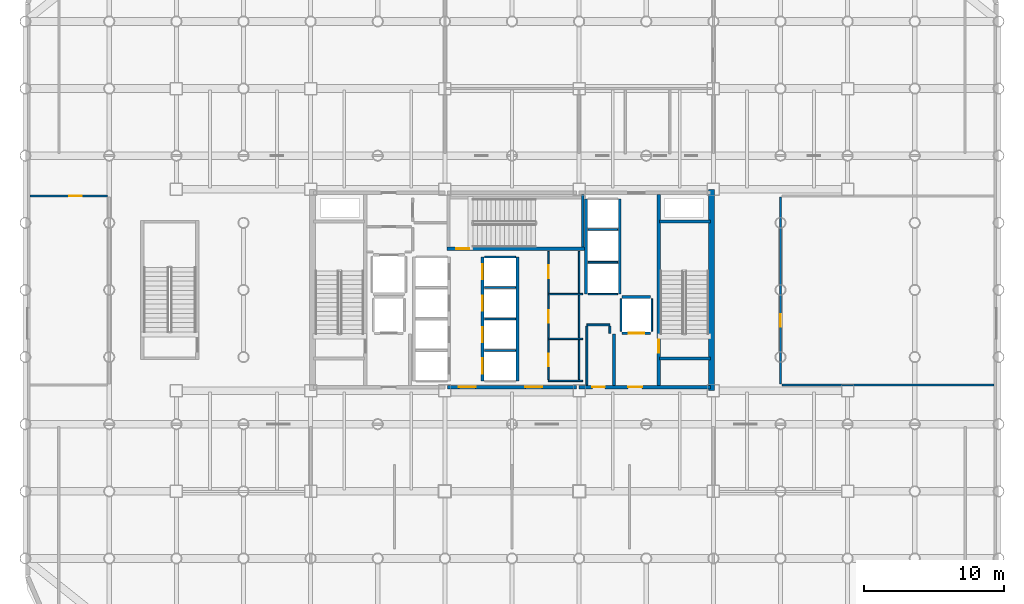
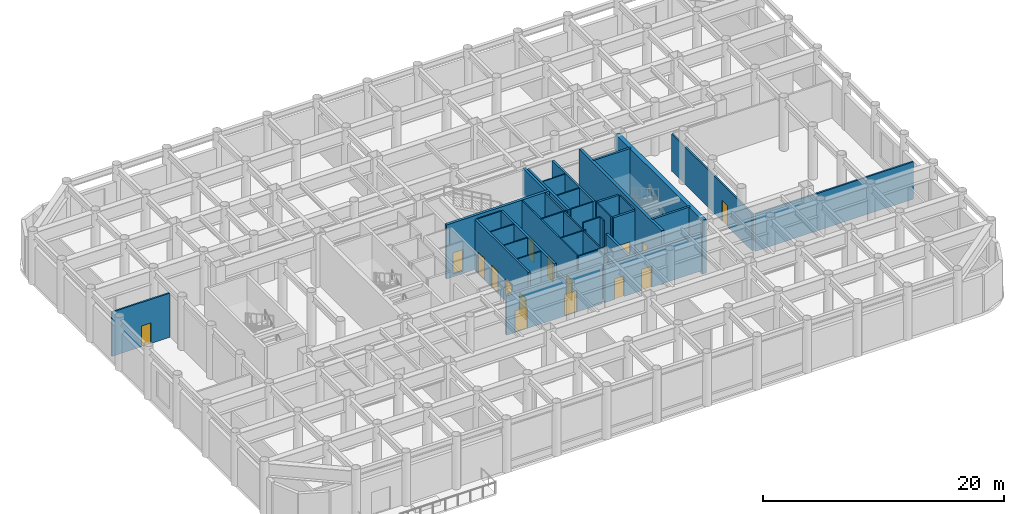
# One storey, part 13 of 17: 35 walls, 16 doors, 16 openings.
"""IFC4 building model written with IfcOpenShell, lengths in metres."""

from ifc_helpers import new_model, si_unit, direction, frame, frame_2d, origin, place, context, subcontext, project, spatial, rectangle, extrude, material, layer, layer_set, type_object, element, fill, save


model = new_model("IFC4")

# Units and contexts
model_context = context("Model", 3, precision=1e-05, world=origin(), true_north=direction((0.0, 1.0)))
body_context = subcontext(model_context, "Body", "Model", "MODEL_VIEW")
ifc_project = project(units=[si_unit("LENGTHUNIT", "METRE"), si_unit("AREAUNIT", "SQUARE_METRE"), si_unit("VOLUMEUNIT", "CUBIC_METRE"), si_unit("PLANEANGLEUNIT", "RADIAN"), si_unit("MASSUNIT", "GRAM", prefix="KILO")], contexts=[model_context])

# Site, building, storey
site_placement = place(None, origin())
site = spatial("IfcSite", under=ifc_project, at=site_placement, CompositionType="ELEMENT")
building_placement = place(site_placement, origin())
building = spatial("IfcBuilding", under=site, at=building_placement, Name="Kallvorn Hotel Tower", CompositionType="ELEMENT")
storey_placement = place(building_placement, frame((0.0, 0.0, 19.199951171875)))
storey = spatial("IfcBuildingStorey", under=building, at=storey_placement, Name="L03", CompositionType="ELEMENT", Elevation=19.199951171875)

# Walls
ifc_material_1 = material(Name="Concrete C50/60", Category="concrete")
ifc_layer_1 = layer(ifc_material_1, 0.39990234375)
ifc_layer_set_1 = layer_set([ifc_layer_1], Name="WL_CORE_400")
wall_type_1 = type_object("IfcWallType", Name="WL_CORE_400", PredefinedType="SHEAR", material=ifc_layer_set_1)
wall_1_placement = place(storey_placement, frame((14.264892578125, -7.199951171875, -0.280029296875), z_axis=(0.0, 0.0, 1.0), x_axis=(0.0, 1.0, 0.0)))
element("IfcWall", 1, at=wall_1_placement, inside=storey, type_object=wall_type_1, Name="L03 Core East Shear Wall", PredefinedType="SHEAR", context=body_context, shape_type="SweptSolid", body=[
    extrude(rectangle(XDim=14.39990234375, YDim=0.39990234375, at=frame_2d((7.199951171875, 0.0))), origin(), (0.0, 0.0, 1.0), 5.4599609375),
])
ifc_material_2 = material(Name="Concrete C40/50", Category="concrete")
ifc_layer_2 = layer(ifc_material_2, 0.219970703125)
ifc_layer_set_2 = layer_set([ifc_layer_2], Name="WL_FFL_220")
wall_type_2 = type_object("IfcWallType", Name="WL_FFL_220", PredefinedType="SOLIDWALL", material=ifc_layer_set_2)
wall_2_placement = place(storey_placement, frame((7.300048828125, -6.820068359375, 0.0), z_axis=(0.0, 0.0, 1.0), x_axis=(0.0, 1.0, 0.0)))
element("IfcWall", 2, at=wall_2_placement, inside=storey, type_object=wall_type_2, Name="L03 Firefighting Lobby East Divider Wall", PredefinedType="SOLIDWALL", context=body_context, shape_type="SweptSolid", body=[
    extrude(rectangle(XDim=3.670166015625, YDim=0.219970703125, at=frame_2d((1.8349609375, 0.0))), origin(), (0.0, 0.0, 1.0), 3.780029296875),
])
ifc_material_3 = material(Name="Concrete C40/50", Category="concrete")
ifc_layer_3 = layer(ifc_material_3, 0.199951171875)
ifc_layer_set_3 = layer_set([ifc_layer_3], Name="WL_HOIST_200")
wall_type_3 = type_object("IfcWallType", Name="WL_HOIST_200", PredefinedType="SOLIDWALL", material=ifc_layer_set_3)
for number, where, z_axis, x_axis, name in (
    (3, (10.550048828125, -4.89990234375, -0.280029296875), (0.0, 0.0, 1.0), (1.0, 0.0, 0.0), "L03 Stair ST2 South Wall"),
    (4, (10.550048828125, 4.89990234375, -0.280029296875), (0.0, 0.0, 1.0), (1.0, 0.0, 0.0), "L03 Stair ST2 North Wall"),
):
    element("IfcWall", number, at=place(storey_placement, frame(where, z_axis=z_axis, x_axis=x_axis)), inside=storey, type_object=wall_type_3, Name=name, PredefinedType="SOLIDWALL", context=body_context, shape_type="SweptSolid", body=[
        extrude(rectangle(XDim=3.64990234375, YDim=0.199951171875, at=frame_2d((1.824951171875, 0.0))), origin(), (0.0, 0.0, 1.0), 5.4599609375),
    ])
wall_3_placement = place(storey_placement, frame((5.06005859375, 3.080078125, -0.280029296875), z_axis=(0.0, 0.0, 1.0), x_axis=(0.0, 1.0, 0.0)))
element("IfcWall", 5, at=wall_3_placement, inside=storey, type_object=wall_type_3, Name="L03 Stair ST3 East Wall", PredefinedType="SOLIDWALL", context=body_context, shape_type="SweptSolid", body=[
    extrude(rectangle(XDim=3.739990234375, YDim=0.199951171875, at=frame_2d((1.8701171875, 0.0))), origin(), (0.0, 0.0, 1.0), 5.4599609375),
])

# Wall, openings, doors
wall_4_placement = place(storey_placement, frame((-2.10009765625, -6.5, 0.0), z_axis=(0.0, 0.0, 1.0), x_axis=(0.0, 1.0, 0.0)))
wall_4 = element("IfcWall", 6, at=wall_4_placement, inside=storey, type_object=wall_type_3, Name="L03 Lift Bank B2 Landing Wall", PredefinedType="SOLIDWALL", context=body_context, shape_type="SweptSolid", body=[
    extrude(rectangle(XDim=8.85009765625, YDim=0.199951171875, at=frame_2d((4.425048828125, 0.0))), origin(), (0.0, 0.0, 1.0), 5.179931640625),
])
opening_1_placement = place(wall_4_placement, frame((0.5, 0.0, 0.0)))
opening_1 = element("IfcOpeningElement", 7, at=opening_1_placement, cuts=wall_4, Name="Opening LD-PL-05", PredefinedType="OPENING", context=body_context, shape_type="SweptSolid", body=[
    extrude(rectangle(XDim=1.10009765625, YDim=2.199951171875, at=frame_2d((0.550048828125, 1.10009765625))), frame((0.0, 0.114990234375, 0.0), z_axis=(0.0, -1.0, 0.0), x_axis=(1.0, 0.0, 0.0)), (0.0, 0.0, 1.0), 0.22998046875),
])
opening_2_placement = place(wall_4_placement, frame((2.75, 0.0, 0.0)))
opening_2 = element("IfcOpeningElement", 8, at=opening_2_placement, cuts=wall_4, Name="Opening LD-PL-06", PredefinedType="OPENING", context=body_context, shape_type="SweptSolid", body=[
    extrude(rectangle(XDim=1.10009765625, YDim=2.199951171875, at=frame_2d((0.550048828125, 1.10009765625))), frame((0.0, 0.114990234375, 0.0), z_axis=(0.0, -1.0, 0.0), x_axis=(1.0, 0.0, 0.0)), (0.0, 0.0, 1.0), 0.22998046875),
])
opening_3_placement = place(wall_4_placement, frame((5.0, 0.0, 0.0)))
opening_3 = element("IfcOpeningElement", 9, at=opening_3_placement, cuts=wall_4, Name="Opening LD-PL-07", PredefinedType="OPENING", context=body_context, shape_type="SweptSolid", body=[
    extrude(rectangle(XDim=1.10009765625, YDim=2.199951171875, at=frame_2d((0.550048828125, 1.10009765625))), frame((0.0, 0.114990234375, 0.0), z_axis=(0.0, -1.0, 0.0), x_axis=(1.0, 0.0, 0.0)), (0.0, 0.0, 1.0), 0.22998046875),
])
opening_4_placement = place(wall_4_placement, frame((7.25, 0.0, 0.0)))
opening_4 = element("IfcOpeningElement", 10, at=opening_4_placement, cuts=wall_4, Name="Opening LD-PL-08", PredefinedType="OPENING", context=body_context, shape_type="SweptSolid", body=[
    extrude(rectangle(XDim=1.10009765625, YDim=2.199951171875, at=frame_2d((0.550048828125, 1.10009765625))), frame((0.0, 0.114990234375, 0.0), z_axis=(0.0, -1.0, 0.0), x_axis=(1.0, 0.0, 0.0)), (0.0, 0.0, 1.0), 0.22998046875),
])
ifc_material_4 = material(Name="Brushed stainless-steel automatic sliding lift landing door", Category="steel")
door_type_1 = type_object("IfcDoorType", Name="LD_PASS_1100x2200", OperationType="SLIDING_TO_LEFT", PredefinedType="DOOR", material=ifc_material_4)
door_1_placement = place(opening_1_placement, origin())
door_1 = element("IfcDoor", 11, at=door_1_placement, inside=storey, type_object=door_type_1, Name="L03 Lift Landing Sliding Door LD-PL-05", OperationType="SLIDING_TO_LEFT", OverallHeight=2.199951171875, OverallWidth=1.10009765625, PredefinedType="DOOR", context=body_context, shape_type="SweptSolid", body=[
    extrude(rectangle(XDim=1.10009765625, YDim=2.199951171875, at=frame_2d((0.550048828125, 1.10009765625))), frame((0.0, 0.02490234375, 0.0), z_axis=(0.0, -1.0, 0.0), x_axis=(1.0, 0.0, 0.0)), (0.0, 0.0, 1.0), 0.050048828125),
])
fill(opening_1, door_1)
door_2_placement = place(opening_2_placement, origin())
door_2 = element("IfcDoor", 12, at=door_2_placement, inside=storey, type_object=door_type_1, Name="L03 Lift Landing Sliding Door LD-PL-06", OperationType="SLIDING_TO_LEFT", OverallHeight=2.199951171875, OverallWidth=1.10009765625, PredefinedType="DOOR", context=body_context, shape_type="SweptSolid", body=[
    extrude(rectangle(XDim=1.10009765625, YDim=2.199951171875, at=frame_2d((0.550048828125, 1.10009765625))), frame((0.0, 0.02490234375, 0.0), z_axis=(0.0, -1.0, 0.0), x_axis=(1.0, 0.0, 0.0)), (0.0, 0.0, 1.0), 0.050048828125),
])
fill(opening_2, door_2)
door_3_placement = place(opening_3_placement, origin())
door_3 = element("IfcDoor", 13, at=door_3_placement, inside=storey, type_object=door_type_1, Name="L03 Lift Landing Sliding Door LD-PL-07", OperationType="SLIDING_TO_LEFT", OverallHeight=2.199951171875, OverallWidth=1.10009765625, PredefinedType="DOOR", context=body_context, shape_type="SweptSolid", body=[
    extrude(rectangle(XDim=1.10009765625, YDim=2.199951171875, at=frame_2d((0.550048828125, 1.10009765625))), frame((0.0, 0.02490234375, 0.0), z_axis=(0.0, -1.0, 0.0), x_axis=(1.0, 0.0, 0.0)), (0.0, 0.0, 1.0), 0.050048828125),
])
fill(opening_3, door_3)
door_4_placement = place(opening_4_placement, origin())
door_4 = element("IfcDoor", 14, at=door_4_placement, inside=storey, type_object=door_type_1, Name="L03 Lift Landing Sliding Door LD-PL-08", OperationType="SLIDING_TO_LEFT", OverallHeight=2.199951171875, OverallWidth=1.10009765625, PredefinedType="DOOR", context=body_context, shape_type="SweptSolid", body=[
    extrude(rectangle(XDim=1.10009765625, YDim=2.199951171875, at=frame_2d((0.550048828125, 1.10009765625))), frame((0.0, 0.02490234375, 0.0), z_axis=(0.0, -1.0, 0.0), x_axis=(1.0, 0.0, 0.0)), (0.0, 0.0, 1.0), 0.050048828125),
])
fill(opening_4, door_4)

# Walls
wall_5_placement = place(storey_placement, frame((0.39990234375, -6.5, 0.0), z_axis=(0.0, 0.0, 1.0), x_axis=(0.0, 1.0, 0.0)))
element("IfcWall", 15, at=wall_5_placement, inside=storey, type_object=wall_type_3, Name="L03 Lift Bank B2 Rear Shaft Wall", PredefinedType="SOLIDWALL", context=body_context, shape_type="SweptSolid", body=[
    extrude(rectangle(XDim=8.85009765625, YDim=0.199951171875, at=frame_2d((4.425048828125, 0.0))), origin(), (0.0, 0.0, 1.0), 5.179931640625),
])
for number, where, z_axis, x_axis, name in (
    (16, (7.699951171875, -0.300048828125, 0.0), (0.0, 0.0, 1.0), (0.0, 1.0, 0.0), "L03 Lift Bank OBS Landing Wall"),
    (17, (5.300048828125, -0.300048828125, 0.0), (0.0, 0.0, 1.0), (0.0, 1.0, 0.0), "L03 Lift Bank OBS Rear Shaft Wall"),
):
    element("IfcWall", number, at=place(storey_placement, frame(where, z_axis=z_axis, x_axis=x_axis)), inside=storey, type_object=wall_type_3, Name=name, PredefinedType="SOLIDWALL", context=body_context, shape_type="SweptSolid", body=[
        extrude(rectangle(XDim=6.800048828125, YDim=0.199951171875, at=frame_2d((3.39990234375, 0.0))), origin(), (0.0, 0.0, 1.0), 5.179931640625),
    ])

# Wall, opening, door
wall_6_placement = place(storey_placement, frame((7.8798828125, -3.10009765625, 0.0), z_axis=(0.0, 0.0, 1.0), x_axis=(1.0, 0.0, 0.0)))
wall_6 = element("IfcWall", 18, at=wall_6_placement, inside=storey, type_object=wall_type_3, Name="L03 FL-2 Landing Wall", PredefinedType="SOLIDWALL", context=body_context, shape_type="SweptSolid", body=[
    extrude(rectangle(XDim=2.0400390625, YDim=0.199951171875, at=frame_2d((1.02001953125, 0.0))), origin(), (0.0, 0.0, 1.0), 5.179931640625),
])
opening_5_placement = place(wall_6_placement, frame((0.469970703125, 0.0, 0.0)))
opening_5 = element("IfcOpeningElement", 19, at=opening_5_placement, cuts=wall_6, Name="Opening LD-FL-2", PredefinedType="OPENING", context=body_context, shape_type="SweptSolid", body=[
    extrude(rectangle(XDim=1.10009765625, YDim=2.199951171875, at=frame_2d((0.550048828125, 1.10009765625))), frame((0.0, 0.114990234375, 0.0), z_axis=(0.0, -1.0, 0.0), x_axis=(1.0, 0.0, 0.0)), (0.0, 0.0, 1.0), 0.22998046875),
])
door_5_placement = place(opening_5_placement, origin())
door_5 = element("IfcDoor", 20, at=door_5_placement, inside=storey, type_object=door_type_1, Name="L03 Lift Landing Sliding Door LD-FL-2", OperationType="SLIDING_TO_LEFT", OverallHeight=2.199951171875, OverallWidth=1.10009765625, PredefinedType="DOOR", context=body_context, shape_type="SweptSolid", body=[
    extrude(rectangle(XDim=1.10009765625, YDim=2.199951171875, at=frame_2d((0.550048828125, 1.10009765625))), frame((0.0, 0.02490234375, 0.0), z_axis=(0.0, -1.0, 0.0), x_axis=(1.0, 0.0, 0.0)), (0.0, 0.0, 1.0), 0.050048828125),
])
fill(opening_5, door_5)

# Walls
wall_7_placement = place(storey_placement, frame((7.8798828125, -0.5, 0.0), z_axis=(0.0, 0.0, 1.0), x_axis=(1.0, 0.0, 0.0)))
element("IfcWall", 21, at=wall_7_placement, inside=storey, type_object=wall_type_3, Name="L03 FL-2 Rear Shaft Wall", PredefinedType="SOLIDWALL", context=body_context, shape_type="SweptSolid", body=[
    extrude(rectangle(XDim=2.0400390625, YDim=0.199951171875, at=frame_2d((1.02001953125, 0.0))), origin(), (0.0, 0.0, 1.0), 5.179931640625),
])
ifc_material_5 = material(Name="Fire-rated double-layer acoustic gypsum drywall EI 60")
ifc_layer_4 = layer(ifc_material_5, 0.1201171875)
ifc_layer_set_4 = layer_set([ifc_layer_4], Name="WL_INT_120")
wall_type_4 = type_object("IfcWallType", Name="WL_INT_120", PredefinedType="PARTITIONING", material=ifc_layer_set_4)
for number, where, z_axis, x_axis, name in (
    (22, (-1.9599609375, -4.324951171875, 0.0), (0.0, 0.0, 1.0), (1.0, 0.0, 0.0), "L03 PL-05 Hoistway Divider"),
    (23, (-1.9599609375, -2.074951171875, 0.0), (0.0, 0.0, 1.0), (1.0, 0.0, 0.0), "L03 PL-06 Hoistway Divider"),
    (24, (-1.9599609375, 0.175048828125, 0.0), (0.0, 0.0, 1.0), (1.0, 0.0, 0.0), "L03 PL-07 Hoistway Divider"),
    (25, (-1.9599609375, 2.35009765625, 0.0), (0.0, 0.0, 1.0), (1.0, 0.0, 0.0), "L03 PL-08 Hoistway Divider"),
):
    element("IfcWall", number, at=place(storey_placement, frame(where, z_axis=z_axis, x_axis=x_axis)), inside=storey, type_object=wall_type_4, Name=name, PredefinedType="PARTITIONING", context=body_context, shape_type="SweptSolid", body=[
        extrude(rectangle(XDim=2.219970703125, YDim=0.1201171875, at=frame_2d((1.10986328125, 0.0))), origin(), (0.0, 0.0, 1.0), 5.179931640625),
    ])
for number, where, z_axis, x_axis, name in (
    (26, (5.43994140625, -0.300048828125, 0.0), (0.0, 0.0, 1.0), (1.0, 0.0, 0.0), "L03 Lift Bank OBS South Closure Wall"),
    (27, (5.43994140625, 1.97509765625, 0.0), (0.0, 0.0, 1.0), (1.0, 0.0, 0.0), "L03 OB-01 Hoistway Divider"),
    (28, (5.43994140625, 4.324951171875, 0.0), (0.0, 0.0, 1.0), (1.0, 0.0, 0.0), "L03 OB-02 Hoistway Divider"),
):
    element("IfcWall", number, at=place(storey_placement, frame(where, z_axis=z_axis, x_axis=x_axis)), inside=storey, type_object=wall_type_4, Name=name, PredefinedType="PARTITIONING", context=body_context, shape_type="SweptSolid", body=[
        extrude(rectangle(XDim=2.1201171875, YDim=0.1201171875, at=frame_2d((1.06005859375, 0.0))), origin(), (0.0, 0.0, 1.0), 5.179931640625),
    ])
for number, where, z_axis, x_axis, name in (
    (29, (7.800048828125, -2.9599609375, 0.0), (0.0, 0.0, 1.0), (0.0, 1.0, 0.0), "L03 FL-2 West Shaft Wall"),
    (30, (10.0, -2.9599609375, 0.0), (0.0, 0.0, 1.0), (0.0, 1.0, 0.0), "L03 FL-2 East Shaft Wall"),
):
    element("IfcWall", number, at=place(storey_placement, frame(where, z_axis=z_axis, x_axis=x_axis)), inside=storey, type_object=wall_type_4, Name=name, PredefinedType="PARTITIONING", context=body_context, shape_type="SweptSolid", body=[
        extrude(rectangle(XDim=2.320068359375, YDim=0.1201171875, at=frame_2d((1.16015625, 0.0))), origin(), (0.0, 0.0, 1.0), 5.179931640625),
    ])
for number, where, z_axis, x_axis, name in (
    (31, (2.60009765625, -6.5, 0.0), (0.0, 0.0, 1.0), (1.0, 0.0, 0.0), "L03 East Core Minibar Store Partition"),
    (32, (2.60009765625, -3.5, 0.0), (0.0, 0.0, 1.0), (1.0, 0.0, 0.0), "L03 East Core Housekeeping Supply Closet Partition"),
    (33, (2.60009765625, -0.300048828125, 0.0), (0.0, 0.0, 1.0), (1.0, 0.0, 0.0), "L03 East Core Cleaners Room Partition"),
):
    element("IfcWall", number, at=place(storey_placement, frame(where, z_axis=z_axis, x_axis=x_axis)), inside=storey, type_object=wall_type_4, Name=name, PredefinedType="PARTITIONING", context=body_context, shape_type="SweptSolid", body=[
        extrude(rectangle(XDim=2.449951171875, YDim=0.1201171875, at=frame_2d((1.22509765625, 0.0))), origin(), (0.0, 0.0, 1.0), 5.179931640625),
    ])

# Wall, openings, doors
wall_8_placement = place(storey_placement, frame((2.60009765625, -6.4150390625, 0.0), z_axis=(0.0, 0.0, 1.0), x_axis=(0.0, 1.0, 0.0)))
wall_8 = element("IfcWall", 34, at=wall_8_placement, inside=storey, type_object=wall_type_4, Name="L03 East Core Minibar Store Partition", PredefinedType="PARTITIONING", context=body_context, shape_type="SweptSolid", body=[
    extrude(rectangle(XDim=9.1650390625, YDim=0.1201171875, at=frame_2d((4.58251953125, 0.0))), origin(), (0.0, 0.0, 1.0), 5.179931640625),
])
opening_6_placement = place(wall_8_placement, frame((0.965087890625, 0.0, 0.0)))
opening_6 = element("IfcOpeningElement", 35, at=opening_6_placement, cuts=wall_8, Name="Opening SVD1", PredefinedType="OPENING", context=body_context, shape_type="SweptSolid", body=[
    extrude(rectangle(XDim=0.89990234375, YDim=2.10009765625, at=frame_2d((0.449951171875, 1.050048828125))), frame((0.0, 0.074951171875, 0.0), z_axis=(0.0, -1.0, 0.0), x_axis=(1.0, 0.0, 0.0)), (0.0, 0.0, 1.0), 0.150146484375),
])
opening_7_placement = place(wall_8_placement, frame((4.06494140625, 0.0, 0.0)))
opening_7 = element("IfcOpeningElement", 36, at=opening_7_placement, cuts=wall_8, Name="Opening SVD1", PredefinedType="OPENING", context=body_context, shape_type="SweptSolid", body=[
    extrude(rectangle(XDim=0.89990234375, YDim=2.10009765625, at=frame_2d((0.449951171875, 1.050048828125))), frame((0.0, 0.074951171875, 0.0), z_axis=(0.0, -1.0, 0.0), x_axis=(1.0, 0.0, 0.0)), (0.0, 0.0, 1.0), 0.150146484375),
])
opening_8_placement = place(wall_8_placement, frame((7.264892578125, 0.0, 0.0)))
opening_8 = element("IfcOpeningElement", 37, at=opening_8_placement, cuts=wall_8, Name="Opening SVD1", PredefinedType="OPENING", context=body_context, shape_type="SweptSolid", body=[
    extrude(rectangle(XDim=0.89990234375, YDim=2.10009765625, at=frame_2d((0.449951171875, 1.050048828125))), frame((0.0, 0.074951171875, 0.0), z_axis=(0.0, -1.0, 0.0), x_axis=(1.0, 0.0, 0.0)), (0.0, 0.0, 1.0), 0.150146484375),
])
ifc_material_6 = material(Name="Galvanised painted steel fire-rated door assembly", Category="steel")
door_type_2 = type_object("IfcDoorType", Name="DR_SERV_900x2100", OperationType="NOTDEFINED", PredefinedType="DOOR", material=ifc_material_6)
door_6_placement = place(opening_6_placement, origin())
door_6 = element("IfcDoor", 38, at=door_6_placement, inside=storey, type_object=door_type_2, Name="L03 East Core Minibar Store Door", OperationType="SINGLE_SWING_RIGHT", OverallHeight=2.10009765625, OverallWidth=0.89990234375, PredefinedType="DOOR", context=body_context, shape_type="SweptSolid", body=[
    extrude(rectangle(XDim=0.89990234375, YDim=2.10009765625, at=frame_2d((0.449951171875, 1.050048828125))), frame((0.0, 0.02490234375, 0.0), z_axis=(0.0, -1.0, 0.0), x_axis=(1.0, 0.0, 0.0)), (0.0, 0.0, 1.0), 0.050048828125),
])
fill(opening_6, door_6)
door_7_placement = place(opening_7_placement, origin())
door_7 = element("IfcDoor", 39, at=door_7_placement, inside=storey, type_object=door_type_2, Name="L03 East Core Housekeeping Supply Closet Door", OperationType="SINGLE_SWING_RIGHT", OverallHeight=2.10009765625, OverallWidth=0.89990234375, PredefinedType="DOOR", context=body_context, shape_type="SweptSolid", body=[
    extrude(rectangle(XDim=0.89990234375, YDim=2.10009765625, at=frame_2d((0.449951171875, 1.050048828125))), frame((0.0, 0.02490234375, 0.0), z_axis=(0.0, -1.0, 0.0), x_axis=(1.0, 0.0, 0.0)), (0.0, 0.0, 1.0), 0.050048828125),
])
fill(opening_7, door_7)
door_8_placement = place(opening_8_placement, origin())
door_8 = element("IfcDoor", 40, at=door_8_placement, inside=storey, type_object=door_type_2, Name="L03 East Core Cleaners Room Door", OperationType="SINGLE_SWING_RIGHT", OverallHeight=2.10009765625, OverallWidth=0.89990234375, PredefinedType="DOOR", context=body_context, shape_type="SweptSolid", body=[
    extrude(rectangle(XDim=0.89990234375, YDim=2.10009765625, at=frame_2d((0.449951171875, 1.050048828125))), frame((0.0, 0.02490234375, 0.0), z_axis=(0.0, -1.0, 0.0), x_axis=(1.0, 0.0, 0.0)), (0.0, 0.0, 1.0), 0.050048828125),
])
fill(opening_8, door_8)

# Walls
wall_9_placement = place(storey_placement, frame((4.800048828125, -6.4150390625, 0.0), z_axis=(0.0, 0.0, 1.0), x_axis=(0.0, 1.0, 0.0)))
element("IfcWall", 41, at=wall_9_placement, inside=storey, type_object=wall_type_4, Name="L03 East Core Minibar Store Partition", PredefinedType="PARTITIONING", context=body_context, shape_type="SweptSolid", body=[
    extrude(rectangle(XDim=9.1650390625, YDim=0.1201171875, at=frame_2d((4.58251953125, 0.0))), origin(), (0.0, 0.0, 1.0), 5.179931640625),
])
ifc_material_7 = material(Name="Fire-rated double-layer acoustic gypsum drywall EI 60")
ifc_layer_5 = layer(ifc_material_7, 0.14990234375)
ifc_layer_set_5 = layer_set([ifc_layer_5], Name="WL_PART_150")
wall_type_5 = type_object("IfcWallType", Name="WL_PART_150", PredefinedType="PARTITIONING", material=ifc_layer_set_5)
wall_10_placement = place(storey_placement, frame((19.320068359375, -6.800048828125, 0.0), z_axis=(0.0, 0.0, 1.0), x_axis=(1.0, 0.0, 0.0)))
element("IfcWall", 42, at=wall_10_placement, inside=storey, type_object=wall_type_5, Name="L03 East Conference Breakout Gallery Partition", PredefinedType="PARTITIONING", context=body_context, shape_type="SweptSolid", body=[
    extrude(rectangle(XDim=15.14990234375, YDim=0.14990234375, at=frame_2d((7.574951171875, 0.0))), origin(), (0.0, 0.0, 1.0), 3.780029296875),
])

# Wall, opening, door
wall_11_placement = place(storey_placement, frame((-34.469970703125, 6.716796875, 0.0), z_axis=(0.0, 0.0, 1.0), x_axis=(1.0, 0.0, 0.0)))
wall_11 = element("IfcWall", 43, at=wall_11_placement, inside=storey, type_object=wall_type_5, Name="L03 West Conference Delegate Bar Partition", PredefinedType="PARTITIONING", context=body_context, shape_type="SweptSolid", body=[
    extrude(rectangle(XDim=5.550048828125, YDim=0.14990234375, at=frame_2d((2.77490234375, 0.0))), origin(), (0.0, 0.0, 1.0), 4.47998046875),
])
opening_9_placement = place(wall_11_placement, frame((2.820068359375, 0.0, 0.0)))
opening_9 = element("IfcOpeningElement", 44, at=opening_9_placement, cuts=wall_11, Name="Opening SVD1", PredefinedType="OPENING", context=body_context, shape_type="SweptSolid", body=[
    extrude(rectangle(XDim=0.89990234375, YDim=2.10009765625, at=frame_2d((0.449951171875, 1.050048828125))), frame((0.0, 0.08984375, 0.0), z_axis=(0.0, -1.0, 0.0), x_axis=(1.0, 0.0, 0.0)), (0.0, 0.0, 1.0), 0.179931640625),
])
door_9_placement = place(opening_9_placement, origin())
door_9 = element("IfcDoor", 45, at=door_9_placement, inside=storey, type_object=door_type_2, Name="L03 West Conference Delegate Bar Door", OperationType="SINGLE_SWING_LEFT", OverallHeight=2.10009765625, OverallWidth=0.89990234375, PredefinedType="DOOR", context=body_context, shape_type="SweptSolid", body=[
    extrude(rectangle(XDim=0.89990234375, YDim=2.10009765625, at=frame_2d((0.449951171875, 1.050048828125))), frame((0.0, 0.02490234375, 0.0), z_axis=(0.0, -1.0, 0.0), x_axis=(1.0, 0.0, 0.0)), (0.0, 0.0, 1.0), 0.050048828125),
])
fill(opening_9, door_9)

wall_12_placement = place(storey_placement, frame((19.199951171875, -6.715087890625, 0.0), z_axis=(0.0, 0.0, 1.0), x_axis=(0.0, 1.0, 0.0)))
wall_12 = element("IfcWall", 46, at=wall_12_placement, inside=storey, type_object=wall_type_5, Name="L03 East Conference Breakout Gallery Partition", PredefinedType="PARTITIONING", context=body_context, shape_type="SweptSolid", body=[
    extrude(rectangle(XDim=13.3466796875, YDim=0.14990234375, at=frame_2d((6.67333984375, 0.0))), origin(), (0.0, 0.0, 1.0), 3.780029296875),
])
opening_10_placement = place(wall_12_placement, frame((4.08984375, 0.0, 0.0)))
opening_10 = element("IfcOpeningElement", 47, at=opening_10_placement, cuts=wall_12, Name="Opening SVD1", PredefinedType="OPENING", context=body_context, shape_type="SweptSolid", body=[
    extrude(rectangle(XDim=0.89990234375, YDim=2.10009765625, at=frame_2d((0.449951171875, 1.050048828125))), frame((0.0, 0.08984375, 0.0), z_axis=(0.0, -1.0, 0.0), x_axis=(1.0, 0.0, 0.0)), (0.0, 0.0, 1.0), 0.179931640625),
])
door_10_placement = place(opening_10_placement, origin())
door_10 = element("IfcDoor", 48, at=door_10_placement, inside=storey, type_object=door_type_2, Name="L03 East Conference Breakout Gallery Door", OperationType="SINGLE_SWING_RIGHT", OverallHeight=2.10009765625, OverallWidth=0.89990234375, PredefinedType="DOOR", context=body_context, shape_type="SweptSolid", body=[
    extrude(rectangle(XDim=0.89990234375, YDim=2.10009765625, at=frame_2d((0.449951171875, 1.050048828125))), frame((0.0, 0.02490234375, 0.0), z_axis=(0.0, -1.0, 0.0), x_axis=(1.0, 0.0, 0.0)), (0.0, 0.0, 1.0), 0.050048828125),
])
fill(opening_10, door_10)

# Walls
ifc_material_8 = material(Name="Moisture-resistant acoustic plumbing chase wall EI 60")
ifc_layer_6 = layer(ifc_material_8, 0.139892578125)
ifc_layer_set_6 = layer_set([ifc_layer_6], Name="WL_PLUMB_140")
wall_type_6 = type_object("IfcWallType", Name="WL_PLUMB_140", PredefinedType="PLUMBINGWALL", material=ifc_layer_set_6)
wall_13_placement = place(storey_placement, frame((5.35009765625, -2.5, 0.0), z_axis=(0.0, 0.0, 1.0), x_axis=(1.0, 0.0, 0.0)))
element("IfcWall", 49, at=wall_13_placement, inside=storey, type_object=wall_type_6, Name="L03 Core Accessible Staff WC Partition", PredefinedType="PLUMBINGWALL", context=body_context, shape_type="SweptSolid", body=[
    extrude(rectangle(XDim=1.64990234375, YDim=0.139892578125, at=frame_2d((0.824951171875, 0.0))), origin(), (0.0, 0.0, 1.0), 5.179931640625),
])
wall_14_placement = place(storey_placement, frame((5.35009765625, -6.800048828125, 0.0), z_axis=(0.0, 0.0, 1.0), x_axis=(0.0, 1.0, 0.0)))
element("IfcWall", 50, at=wall_14_placement, inside=storey, type_object=wall_type_6, Name="L03 Core Accessible Staff WC Partition", PredefinedType="PLUMBINGWALL", context=body_context, shape_type="SweptSolid", body=[
    extrude(rectangle(XDim=4.215087890625, YDim=0.139892578125, at=frame_2d((2.107421875, 0.0))), origin(), (0.0, 0.0, 1.0), 3.780029296875),
])
wall_15_placement = place(storey_placement, frame((7.0, -3.110107421875, 0.0), z_axis=(0.0, 0.0, 1.0), x_axis=(0.0, 1.0, 0.0)))
element("IfcWall", 51, at=wall_15_placement, inside=storey, type_object=wall_type_6, Name="L03 Core Accessible Staff WC Partition", PredefinedType="PLUMBINGWALL", context=body_context, shape_type="SweptSolid", body=[
    extrude(rectangle(XDim=0.525146484375, YDim=0.139892578125, at=frame_2d((0.2626953125, 0.0))), origin(), (0.0, 0.0, 1.0), 5.179931640625),
])

# Wall, openings, doors
ifc_material_9 = material(Name="Concrete C40/50", Category="concrete")
ifc_layer_7 = layer(ifc_material_9, 0.25)
ifc_layer_set_7 = layer_set([ifc_layer_7], Name="WL_SHAFT_250")
wall_type_7 = type_object("IfcWallType", Name="WL_SHAFT_250", PredefinedType="SOLIDWALL", material=ifc_layer_set_7)
wall_16_placement = place(storey_placement, frame((-4.60009765625, -6.949951171875, 0.0), z_axis=(0.0, 0.0, 1.0), x_axis=(1.0, 0.0, 0.0)))
wall_16 = element("IfcWall", 52, at=wall_16_placement, inside=storey, type_object=wall_type_7, Name="L03 Core South-Central Wall", PredefinedType="SOLIDWALL", context=body_context, shape_type="SweptSolid", body=[
    extrude(rectangle(XDim=9.2001953125, YDim=0.25, at=frame_2d((4.60009765625, 0.0))), origin(), (0.0, 0.0, 1.0), 3.97998046875),
])
opening_11_placement = place(wall_16_placement, frame((0.800048828125, 0.0, 0.0)))
opening_11 = element("IfcOpeningElement", 53, at=opening_11_placement, cuts=wall_16, Name="Opening FD2", PredefinedType="OPENING", context=body_context, shape_type="SweptSolid", body=[
    extrude(rectangle(XDim=1.199951171875, YDim=2.199951171875, at=frame_2d((0.60009765625, 1.10009765625))), frame((0.0, 0.139892578125, 0.0), z_axis=(0.0, -1.0, 0.0), x_axis=(1.0, 0.0, 0.0)), (0.0, 0.0, 1.0), 0.280029296875),
])
opening_12_placement = place(wall_16_placement, frame((5.550048828125, 0.0, 0.0)))
opening_12 = element("IfcOpeningElement", 54, at=opening_12_placement, cuts=wall_16, Name="Opening FD2", PredefinedType="OPENING", context=body_context, shape_type="SweptSolid", body=[
    extrude(rectangle(XDim=1.199951171875, YDim=2.199951171875, at=frame_2d((0.60009765625, 1.10009765625))), frame((0.0, 0.139892578125, 0.0), z_axis=(0.0, -1.0, 0.0), x_axis=(1.0, 0.0, 0.0)), (0.0, 0.0, 1.0), 0.280029296875),
])
ifc_material_10 = material(Name="Galvanised painted steel fire-rated door assembly", Category="steel")
door_type_3 = type_object("IfcDoorType", Name="DR_LOBBY_1200x2200", OperationType="DOUBLE_DOOR_SINGLE_SWING", PredefinedType="DOOR", material=ifc_material_10)
door_11_placement = place(opening_11_placement, origin())
door_11 = element("IfcDoor", 55, at=door_11_placement, inside=storey, type_object=door_type_3, Name="L03 West Passenger Lift Lobby Door", OperationType="DOUBLE_DOOR_SINGLE_SWING", OverallHeight=2.199951171875, OverallWidth=1.199951171875, PredefinedType="DOOR", context=body_context, shape_type="SweptSolid", body=[
    extrude(rectangle(XDim=1.199951171875, YDim=2.199951171875, at=frame_2d((0.60009765625, 1.10009765625))), frame((0.0, 0.02490234375, 0.0), z_axis=(0.0, -1.0, 0.0), x_axis=(1.0, 0.0, 0.0)), (0.0, 0.0, 1.0), 0.050048828125),
])
fill(opening_11, door_11)
door_12_placement = place(opening_12_placement, origin())
door_12 = element("IfcDoor", 56, at=door_12_placement, inside=storey, type_object=door_type_3, Name="L03 East Passenger Lift Lobby Door", OperationType="DOUBLE_DOOR_SINGLE_SWING", OverallHeight=2.199951171875, OverallWidth=1.199951171875, PredefinedType="DOOR", context=body_context, shape_type="SweptSolid", body=[
    extrude(rectangle(XDim=1.199951171875, YDim=2.199951171875, at=frame_2d((0.60009765625, 1.10009765625))), frame((0.0, 0.02490234375, 0.0), z_axis=(0.0, -1.0, 0.0), x_axis=(1.0, 0.0, 0.0)), (0.0, 0.0, 1.0), 0.050048828125),
])
fill(opening_12, door_12)

wall_17_placement = place(storey_placement, frame((4.800048828125, -6.949951171875, 0.0), z_axis=(0.0, 0.0, 1.0), x_axis=(1.0, 0.0, 0.0)))
wall_17 = element("IfcWall", 57, at=wall_17_placement, inside=storey, type_object=wall_type_7, Name="L03 Core South-East Wall", PredefinedType="SOLIDWALL", context=body_context, shape_type="SweptSolid", body=[
    extrude(rectangle(XDim=9.39990234375, YDim=0.25, at=frame_2d((4.699951171875, 0.0))), origin(), (0.0, 0.0, 1.0), 3.780029296875),
])
opening_13_placement = place(wall_17_placement, frame((3.5, 0.0, 0.0)))
opening_13 = element("IfcOpeningElement", 58, at=opening_13_placement, cuts=wall_17, Name="Opening FD1", PredefinedType="OPENING", context=body_context, shape_type="SweptSolid", body=[
    extrude(rectangle(XDim=1.0, YDim=2.14990234375, at=frame_2d((0.5, 1.074951171875))), frame((0.0, 0.139892578125, 0.0), z_axis=(0.0, -1.0, 0.0), x_axis=(1.0, 0.0, 0.0)), (0.0, 0.0, 1.0), 0.280029296875),
])
opening_14_placement = place(wall_17_placement, frame((0.949951171875, 0.0, 0.0)))
opening_14 = element("IfcOpeningElement", 59, at=opening_14_placement, cuts=wall_17, Name="Opening SVD1", PredefinedType="OPENING", context=body_context, shape_type="SweptSolid", body=[
    extrude(rectangle(XDim=0.89990234375, YDim=2.10009765625, at=frame_2d((0.449951171875, 1.050048828125))), frame((0.0, 0.139892578125, 0.0), z_axis=(0.0, -1.0, 0.0), x_axis=(1.0, 0.0, 0.0)), (0.0, 0.0, 1.0), 0.280029296875),
])
ifc_material_11 = material(Name="Galvanised painted steel fire-rated door assembly", Category="steel")
door_type_4 = type_object("IfcDoorType", Name="DR_FFL_1000x2150", OperationType="NOTDEFINED", PredefinedType="DOOR", material=ifc_material_11)
door_13_placement = place(opening_13_placement, origin())
door_13 = element("IfcDoor", 60, at=door_13_placement, inside=storey, type_object=door_type_4, Name="L03 Firefighting Lobby East Door", OperationType="SINGLE_SWING_LEFT", OverallHeight=2.14990234375, OverallWidth=1.0, PredefinedType="DOOR", context=body_context, shape_type="SweptSolid", body=[
    extrude(rectangle(XDim=1.0, YDim=2.14990234375, at=frame_2d((0.5, 1.074951171875))), frame((0.0, 0.02490234375, 0.0), z_axis=(0.0, -1.0, 0.0), x_axis=(1.0, 0.0, 0.0)), (0.0, 0.0, 1.0), 0.050048828125),
])
fill(opening_13, door_13)
door_14_placement = place(opening_14_placement, origin())
door_14 = element("IfcDoor", 61, at=door_14_placement, inside=storey, type_object=door_type_2, Name="L03 Core Accessible Staff WC Door", OperationType="SINGLE_SWING_RIGHT", OverallHeight=2.10009765625, OverallWidth=0.89990234375, PredefinedType="DOOR", context=body_context, shape_type="SweptSolid", body=[
    extrude(rectangle(XDim=0.89990234375, YDim=2.10009765625, at=frame_2d((0.449951171875, 1.050048828125))), frame((0.0, 0.02490234375, 0.0), z_axis=(0.0, -1.0, 0.0), x_axis=(1.0, 0.0, 0.0)), (0.0, 0.0, 1.0), 0.050048828125),
])
fill(opening_14, door_14)

# Wall, opening, door
wall_18_placement = place(storey_placement, frame((10.5, -6.820068359375, -0.280029296875), z_axis=(0.0, 0.0, 1.0), x_axis=(0.0, 1.0, 0.0)))
wall_18 = element("IfcWall", 62, at=wall_18_placement, inside=storey, type_object=wall_type_7, Name="L03 Stair ST2 Shaft Wall", PredefinedType="SOLIDWALL", context=body_context, shape_type="SweptSolid", body=[
    extrude(rectangle(XDim=13.64013671875, YDim=0.25, at=frame_2d((6.820068359375, 0.0))), origin(), (0.0, 0.0, 1.0), 5.4599609375),
])
opening_15_placement = place(wall_18_placement, frame((2.320068359375, 0.0, 0.280029296875)))
opening_15 = element("IfcOpeningElement", 63, at=opening_15_placement, cuts=wall_18, Name="Opening SD1", PredefinedType="OPENING", context=body_context, shape_type="SweptSolid", body=[
    extrude(rectangle(XDim=0.949951171875, YDim=2.14990234375, at=frame_2d((0.47509765625, 1.074951171875))), frame((0.0, 0.139892578125, 0.0), z_axis=(0.0, -1.0, 0.0), x_axis=(1.0, 0.0, 0.0)), (0.0, 0.0, 1.0), 0.280029296875),
])
ifc_material_12 = material(Name="Galvanised painted steel fire-rated door assembly", Category="steel")
door_type_5 = type_object("IfcDoorType", Name="DR_STAIR_950x2150", OperationType="NOTDEFINED", PredefinedType="DOOR", material=ifc_material_12)
door_15_placement = place(opening_15_placement, origin())
door_15 = element("IfcDoor", 64, at=door_15_placement, inside=storey, type_object=door_type_5, Name="L03 Exit Stair ST2 Fire Door", OperationType="SINGLE_SWING_LEFT", OverallHeight=2.14990234375, OverallWidth=0.949951171875, PredefinedType="DOOR", context=body_context, shape_type="SweptSolid", body=[
    extrude(rectangle(XDim=0.949951171875, YDim=2.14990234375, at=frame_2d((0.47509765625, 1.074951171875))), frame((0.0, 0.02490234375, 0.0), z_axis=(0.0, -1.0, 0.0), x_axis=(1.0, 0.0, 0.0)), (0.0, 0.0, 1.0), 0.050048828125),
])
fill(opening_15, door_15)

wall_19_placement = place(storey_placement, frame((-4.64990234375, 2.949951171875, -0.280029296875), z_axis=(0.0, 0.0, 1.0), x_axis=(1.0, 0.0, 0.0)))
wall_19 = element("IfcWall", 65, at=wall_19_placement, inside=storey, type_object=wall_type_7, Name="L03 Stair ST3 Shaft South Wall", PredefinedType="SOLIDWALL", context=body_context, shape_type="SweptSolid", body=[
    extrude(rectangle(XDim=9.89990234375, YDim=0.25, at=frame_2d((4.949951171875, 0.0))), origin(), (0.0, 0.0, 1.0), 5.4599609375),
])
opening_16_placement = place(wall_19_placement, frame((0.64990234375, 0.0, 0.280029296875)))
opening_16 = element("IfcOpeningElement", 66, at=opening_16_placement, cuts=wall_19, Name="Opening SD1", PredefinedType="OPENING", context=body_context, shape_type="SweptSolid", body=[
    extrude(rectangle(XDim=0.949951171875, YDim=2.14990234375, at=frame_2d((0.47509765625, 1.074951171875))), frame((0.0, 0.139892578125, 0.0), z_axis=(0.0, -1.0, 0.0), x_axis=(1.0, 0.0, 0.0)), (0.0, 0.0, 1.0), 0.280029296875),
])
door_16_placement = place(opening_16_placement, origin())
door_16 = element("IfcDoor", 67, at=door_16_placement, inside=storey, type_object=door_type_5, Name="L03 Exit Stair ST3 Fire Door", OperationType="SINGLE_SWING_LEFT", OverallHeight=2.14990234375, OverallWidth=0.949951171875, PredefinedType="DOOR", context=body_context, shape_type="SweptSolid", body=[
    extrude(rectangle(XDim=0.949951171875, YDim=2.14990234375, at=frame_2d((0.47509765625, 1.074951171875))), frame((0.0, 0.02490234375, 0.0), z_axis=(0.0, -1.0, 0.0), x_axis=(1.0, 0.0, 0.0)), (0.0, 0.0, 1.0), 0.050048828125),
])
fill(opening_16, door_16)

save(model, "model.ifc")
